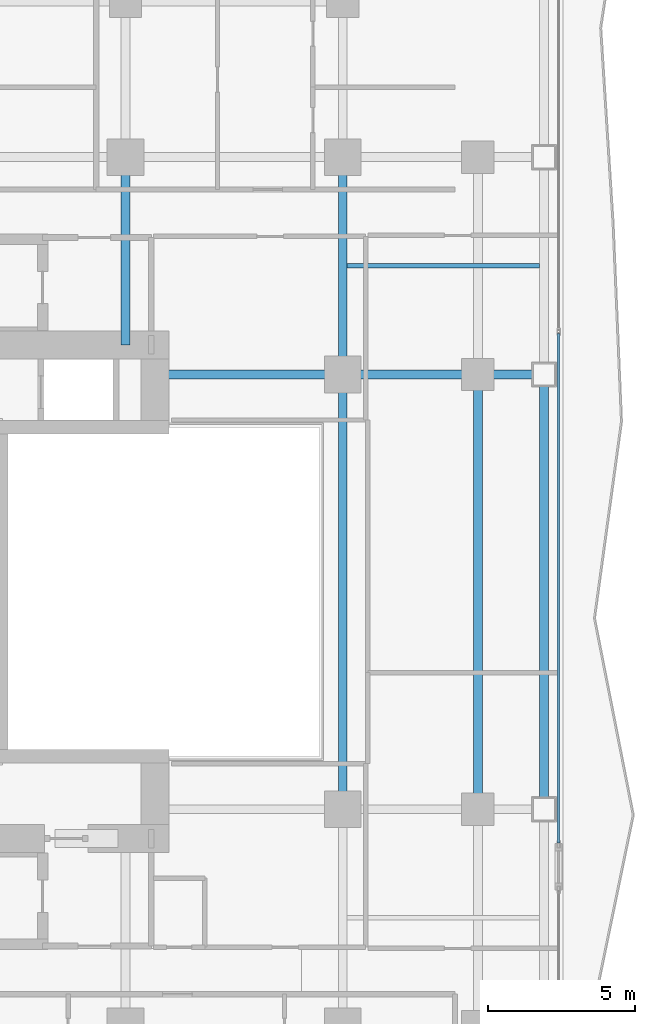
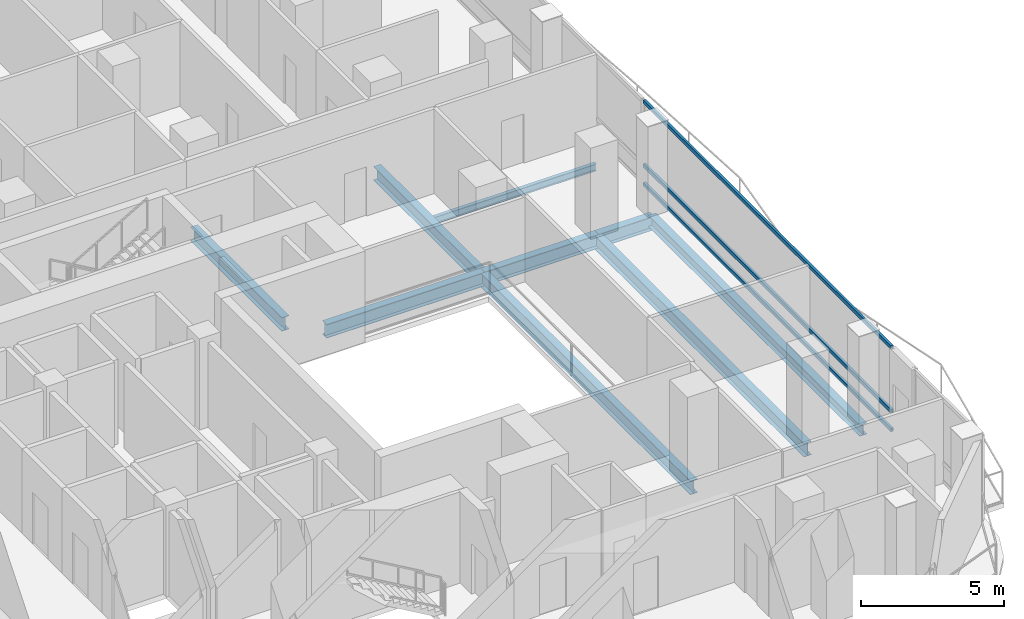
# One storey, part 10 of 28: 9 beams, 3 members, 1 element without a shape of its own.
"""IFC4 building model written with IfcOpenShell, lengths in metres."""

import ifcopenshell
import ifcopenshell.guid

model = None  # the IFC model being written
_history = None  # IfcOwnerHistory: only IFC2X3 demands one
_inside = {}  # id of a spatial element -> (the spatial element, [elements in it])
_under = {}  # id of a project, library or spatial element -> (it, [spatial elements below it])
_declared = {}  # id of a project -> (the project, [libraries it declares])
_typed = {}  # id of a type object -> (the type object, [elements of that type])
_made_of = {}  # id of a material, layer set ... -> (it, [elements and type objects made of it])


def new_model(schema):
    """Start an empty IFC model of exactly this schema.

    Asked for "IFC4X3", IfcOpenShell would pick the latest addendum, in which some entities
    have other attributes; the version numbers below select the first issue.
    IFC2X3 requires an IfcOwnerHistory on every rooted entity: one is made here for all.
    """
    global model, _history
    if schema == "IFC4X3":
        model = ifcopenshell.file(schema_version=(4, 3, 0, 0))
    else:
        model = ifcopenshell.file(schema=schema)
    _inside.clear()
    _under.clear()
    _declared.clear()
    _typed.clear()
    _made_of.clear()
    _history = None
    if model.schema == "IFC2X3":
        org = make("IfcOrganization", Name="unknown")
        user = make(
            "IfcPersonAndOrganization",
            ThePerson=make("IfcPerson", FamilyName="unknown"),
            TheOrganization=org,
        )
        app = make(
            "IfcApplication",
            ApplicationDeveloper=org,
            Version="unknown",
            ApplicationFullName="unknown",
            ApplicationIdentifier="unknown",
        )
        _history = make(
            "IfcOwnerHistory",
            OwningUser=user,
            OwningApplication=app,
            ChangeAction="ADDED",
            CreationDate=0,
        )
    return model


def make(cls, **values):
    """One entity of the class cls with the attributes given. An attribute that is None is left unset."""
    return model.create_entity(
        cls, **{name: value for name, value in values.items() if value is not None}
    )


def rooted(cls, **values):
    """An entity with a GlobalId (a new one), such as an element, a storey or a relation."""
    return make(cls, GlobalId=ifcopenshell.guid.new(), OwnerHistory=_history, **values)


def si_unit(unit_type, name, prefix=None):
    """IfcSIUnit, for example si_unit("LENGTHUNIT", "METRE", prefix="MILLI")."""
    return make("IfcSIUnit", UnitType=unit_type, Prefix=prefix, Name=name)


def assignment(units):
    """IfcUnitAssignment: the units of a project."""
    return None if units is None else make("IfcUnitAssignment", Units=units)


def point(xyz):
    """IfcCartesianPoint."""
    return None if xyz is None else make("IfcCartesianPoint", Coordinates=xyz)


def direction(xyz):
    """IfcDirection."""
    return None if xyz is None else make("IfcDirection", DirectionRatios=xyz)


def frame(location, z_axis=None, x_axis=None):
    """IfcAxis2Placement3D, a coordinate frame: its origin and axes. An axis left out is left unset."""
    return make(
        "IfcAxis2Placement3D",
        Location=point(location),
        Axis=direction(z_axis),
        RefDirection=direction(x_axis),
    )


def frame_2d(location, x_axis=None):
    """IfcAxis2Placement2D, a coordinate frame in the plane: its origin and x axis."""
    return make(
        "IfcAxis2Placement2D", Location=point(location), RefDirection=direction(x_axis)
    )


def origin():
    """The frame at (0, 0, 0) with its axes left unset."""
    return frame((0.0, 0.0, 0.0))


def origin_2d():
    """The frame at (0, 0) in the plane with its x axis left unset."""
    return frame_2d((0.0, 0.0))


def place(relative_to, where):
    """IfcLocalPlacement: puts the frame where relative to a parent placement (None: the world)."""
    return make(
        "IfcLocalPlacement", PlacementRelTo=relative_to, RelativePlacement=where
    )


def context(
    kind, dimensions, precision=None, world=None, true_north=None, identifier=None
):
    """IfcGeometricRepresentationContext, for example the 3D "Model" context."""
    return make(
        "IfcGeometricRepresentationContext",
        ContextIdentifier=identifier,
        ContextType=kind,
        CoordinateSpaceDimension=dimensions,
        Precision=precision,
        WorldCoordinateSystem=world,
        TrueNorth=true_north,
    )


def subcontext(parent, identifier, kind, view, scale=None):
    """IfcGeometricRepresentationSubContext, for example "Body" below "Model"."""
    return make(
        "IfcGeometricRepresentationSubContext",
        ContextIdentifier=identifier,
        ContextType=kind,
        ParentContext=parent,
        TargetScale=scale,
        TargetView=view,
    )


def project(units=None, contexts=None):
    """IfcProject with its units and contexts."""
    return rooted(
        "IfcProject",
        Name="project",
        RepresentationContexts=contexts,
        UnitsInContext=assignment(units),
    )


def spatial(cls, under=None, at=None, **own):
    """A site, building, storey or space (cls), placed at a placement, below another one or the project."""
    s = rooted(cls, ObjectPlacement=at, **own)
    if under is not None:
        _under.setdefault(under.id(), (under, []))[1].append(s)
    return s


def profile(cls, at=None, kind="AREA", **sizes):
    """A parametric profile (cls). Its sizes go by their IFC names, for example OverallWidth=200.0."""
    return make(cls, ProfileType=kind, Position=at, **sizes)


def hollow_rectangle(**sizes):
    """IfcRectangleHollowProfileDef."""
    return profile("IfcRectangleHollowProfileDef", **sizes)


def i_section(**sizes):
    """IfcIShapeProfileDef."""
    return profile("IfcIShapeProfileDef", **sizes)


def extrude(swept, where, along, depth):
    """IfcExtrudedAreaSolid: the profile swept, set in the frame where, extruded along a direction by depth."""
    return make(
        "IfcExtrudedAreaSolid",
        SweptArea=swept,
        Position=where,
        ExtrudedDirection=direction(along),
        Depth=depth,
    )


def shape(context_of_items, identifier, shape_type, items):
    """IfcShapeRepresentation: the items that make up one representation, for example the "Body"."""
    return make(
        "IfcShapeRepresentation",
        ContextOfItems=context_of_items,
        RepresentationIdentifier=identifier,
        RepresentationType=shape_type,
        Items=items,
    )


def material(Name=None, Category=None):
    """IfcMaterial."""
    return make("IfcMaterial", Name=Name, Category=Category)


def layer(
    of_material, thickness, ventilated=None, Name=None, Category=None, Priority=None
):
    """IfcMaterialLayer: one layer of a wall or slab, of a material (None: an air gap)."""
    return make(
        "IfcMaterialLayer",
        Material=of_material,
        LayerThickness=thickness,
        IsVentilated=ventilated,
        Name=Name,
        Category=Category,
        Priority=Priority,
    )


def layer_set(layers, Name=None):
    """IfcMaterialLayerSet."""
    return make("IfcMaterialLayerSet", MaterialLayers=layers, LayerSetName=Name)


def material_profile(
    of_material, cross_section, Name=None, Category=None, Priority=None
):
    """IfcMaterialProfile: a cross section and its material."""
    return make(
        "IfcMaterialProfile",
        Name=Name,
        Material=of_material,
        Profile=cross_section,
        Priority=Priority,
        Category=Category,
    )


def profile_set(profiles, Name=None, composite=None):
    """IfcMaterialProfileSet."""
    return make(
        "IfcMaterialProfileSet",
        Name=Name,
        MaterialProfiles=profiles,
        CompositeProfile=composite,
    )


def made_of(thing, what):
    """Note that an element or type object is made of a material, layer set ...; save() writes the relation."""
    if what is not None:
        _made_of.setdefault(what.id(), (what, []))[1].append(thing)
    return thing


def type_object(cls, material=None, **own):
    """A type object (cls), such as IfcWallType, which elements share."""
    return made_of(rooted(cls, **own), material)


def element(
    cls,
    number,
    at=None,
    inside=None,
    cuts=None,
    type_object=None,
    material=None,
    context=None,
    identifier="Body",
    shape_type=None,
    held_by="IfcProductDefinitionShape",
    body=None,
    shapes=None,
    **own,
):
    """One element of the class cls, such as IfcWall. Its Tag is "e" and its number.

    at: its placement. inside: the storey or other place that contains it. cuts: it is an
    opening in that element (IfcRelVoidsElement). A single representation is given by context,
    identifier, shape_type and body (its items); several are given by shapes. held_by: the class
    of the entity that holds the representations. save() writes the other relations.
    """
    e = rooted(cls, Tag="e%d" % number, ObjectPlacement=at, **own)
    if body is not None:
        shapes = [shape(context, identifier, shape_type, body)]
    if shapes is not None:
        e.Representation = make(held_by, Representations=shapes)
    if inside is not None:
        _inside.setdefault(inside.id(), (inside, []))[1].append(e)
    if cuts is not None:
        rooted(
            "IfcRelVoidsElement", RelatingBuildingElement=cuts, RelatedOpeningElement=e
        )
    if type_object is not None:
        _typed.setdefault(type_object.id(), (type_object, []))[1].append(e)
    return made_of(e, material)


def aggregate(whole, parts):
    """IfcRelAggregates: a whole, such as a stair, and the parts it consists of."""
    return rooted("IfcRelAggregates", RelatingObject=whole, RelatedObjects=parts)


def save(model, path):
    """Write the relations noted so far, then the file.

    IfcRelAggregates (storeys below a building ...), IfcRelContainedInSpatialStructure (elements
    in a storey), IfcRelDefinesByType, IfcRelAssociatesMaterial and IfcRelDeclares: one each for
    every whole, place, type object, material and project.
    """
    for whole, parts in _under.values():
        aggregate(whole, parts)
    for where, things in _inside.values():
        rooted(
            "IfcRelContainedInSpatialStructure",
            RelatedElements=things,
            RelatingStructure=where,
        )
    for kind, things in _typed.values():
        rooted("IfcRelDefinesByType", RelatedObjects=things, RelatingType=kind)
    for what, things in _made_of.values():
        rooted("IfcRelAssociatesMaterial", RelatedObjects=things, RelatingMaterial=what)
    for by, libraries in _declared.values():
        rooted("IfcRelDeclares", RelatingContext=by, RelatedDefinitions=libraries)
    model.write(path)


model = new_model("IFC4")

# Units and contexts
model_context = context("Model", 3, precision=1e-05, world=origin(), true_north=direction((0.0, 1.0)))
body_context = subcontext(model_context, "Body", "Model", "MODEL_VIEW")
ifc_project = project(units=[si_unit("LENGTHUNIT", "METRE"), si_unit("AREAUNIT", "SQUARE_METRE"), si_unit("VOLUMEUNIT", "CUBIC_METRE"), si_unit("PLANEANGLEUNIT", "RADIAN"), si_unit("MASSUNIT", "GRAM", prefix="KILO")], contexts=[model_context])

# Site, building, storey
site_placement = place(None, origin())
site = spatial("IfcSite", under=ifc_project, at=site_placement, CompositionType="ELEMENT")
building_placement = place(site_placement, origin())
building = spatial("IfcBuilding", under=site, at=building_placement, Name="Khorvyn Point Tower", CompositionType="ELEMENT")
storey_placement = place(building_placement, frame((0.0, 0.0, 104.699951171875)))
storey = spatial("IfcBuildingStorey", under=building, at=storey_placement, Name="L26", CompositionType="ELEMENT", Elevation=104.699951171875)

# Curtain wall, members
ifc_material_1 = material(Name="Anodised aluminium 6063-T6 and laminated Low-E glass", Category="aluminium")
ifc_layer = layer(ifc_material_1, 0.18994140625)
ifc_layer_set = layer_set([ifc_layer], Name="Stick-Built Finned Residential Curtain Wall CW-SYS-02")
curtain_wall_type = type_object("IfcCurtainWallType", Name="Stick-Built Finned Residential Curtain Wall CW-SYS-02", PredefinedType="NOTDEFINED", material=ifc_layer_set)
curtain_wall_placement = place(storey_placement, origin())
curtain_wall = element("IfcCurtainWall", 1, at=curtain_wall_placement, inside=storey, type_object=curtain_wall_type, Name="Curtain Wall", PredefinedType="NOTDEFINED")
ifc_material_2 = material(Name="Anodised aluminium 6063-T6", Category="aluminium")
ifc_material_profile_1 = material_profile(ifc_material_2, hollow_rectangle(XDim=0.10009765625, YDim=0.159912109375, WallThickness=0.00439453125, at=origin_2d()))
ifc_profile_set_1 = profile_set([ifc_material_profile_1], Name="Anodised aluminium 6063-T6 ALU-TRN-100x160")
member_type = type_object("IfcMemberType", Name="Anodised Aluminium 6063-T6 Transom ALU-TRN-100x160", PredefinedType="USERDEFINED", material=ifc_profile_set_1)
member_1_placement = place(storey_placement, frame((22.14990234375, 8.801513671875, 0.050048828125), z_axis=(0.0, -1.0, 0.0), x_axis=(1.0, 0.0, 0.0)))
member_1 = element("IfcMember", 2, at=member_1_placement, type_object=member_type, Name="Transom", ObjectType="TRANSOM", PredefinedType="USERDEFINED", context=body_context, shape_type="SweptSolid", body=[
    extrude(hollow_rectangle(XDim=0.10009765625, YDim=0.159912109375, WallThickness=0.00439453125, at=origin_2d()), origin(), (0.0, 0.0, 1.0), 17.3486328125),
])
member_2_placement = place(storey_placement, frame((22.14990234375, 8.801513671875, 0.85009765625), z_axis=(0.0, -1.0, 0.0), x_axis=(1.0, 0.0, 0.0)))
member_2 = element("IfcMember", 3, at=member_2_placement, type_object=member_type, Name="Transom", ObjectType="TRANSOM", PredefinedType="USERDEFINED", context=body_context, shape_type="SweptSolid", body=[
    extrude(hollow_rectangle(XDim=0.10009765625, YDim=0.159912109375, WallThickness=0.00439453125, at=origin_2d()), origin(), (0.0, 0.0, 1.0), 17.3486328125),
])
member_3_placement = place(storey_placement, frame((22.14990234375, 8.801513671875, 3.570068359375), z_axis=(0.0, -1.0, 0.0), x_axis=(1.0, 0.0, 0.0)))
member_3 = element("IfcMember", 4, at=member_3_placement, type_object=member_type, Name="Transom", ObjectType="TRANSOM", PredefinedType="USERDEFINED", context=body_context, shape_type="SweptSolid", body=[
    extrude(hollow_rectangle(XDim=0.10009765625, YDim=0.159912109375, WallThickness=0.00439453125, at=origin_2d()), origin(), (0.0, 0.0, 1.0), 17.3486328125),
])
aggregate(curtain_wall, [member_1, member_2, member_3])

# Beams
ifc_material_3 = material(Name="Steel S355", Category="steel")
ifc_material_profile_2 = material_profile(ifc_material_3, i_section(OverallWidth=0.300048828125, OverallDepth=0.587890625, WebThickness=0.011962890625, FlangeThickness=0.02001953125, at=origin_2d()))
ifc_profile_set_2 = profile_set([ifc_material_profile_2], Name="Steel S355 H588x300x12x20")
beam_type_1 = type_object("IfcBeamType", Name="Steel S355 Beam H588x300x12x20", PredefinedType="BEAM", material=ifc_profile_set_2)
beam_1_placement = place(storey_placement, frame((8.39990234375, 7.39990234375, -0.513916015625), z_axis=(1.0, 0.0, 0.0), x_axis=(0.0, 1.0, 0.0)))
element("IfcBeam", 5, at=beam_1_placement, inside=storey, type_object=beam_type_1, Name="Beam", PredefinedType="BEAM", context=body_context, shape_type="SweptSolid", body=[
    extrude(i_section(OverallWidth=0.300048828125, OverallDepth=0.587890625, WebThickness=0.011962890625, FlangeThickness=0.02001953125, at=origin_2d()), origin(), (0.0, 0.0, 1.0), 6.400146484375),
])
beam_2_placement = place(storey_placement, frame((14.800048828125, 7.39990234375, -0.513916015625), z_axis=(1.0, 0.0, 0.0), x_axis=(0.0, 1.0, 0.0)))
element("IfcBeam", 6, at=beam_2_placement, inside=storey, type_object=beam_type_1, Name="Beam", PredefinedType="BEAM", context=body_context, shape_type="SweptSolid", body=[
    extrude(i_section(OverallWidth=0.300048828125, OverallDepth=0.587890625, WebThickness=0.011962890625, FlangeThickness=0.02001953125, at=origin_2d()), origin(), (0.0, 0.0, 1.0), 4.599853515625),
])
beam_3_placement = place(storey_placement, frame((19.39990234375, 7.39990234375, -0.513916015625), z_axis=(1.0, 0.0, 0.0), x_axis=(0.0, 1.0, 0.0)))
element("IfcBeam", 7, at=beam_3_placement, inside=storey, type_object=beam_type_1, Name="Beam", PredefinedType="BEAM", context=body_context, shape_type="SweptSolid", body=[
    extrude(i_section(OverallWidth=0.300048828125, OverallDepth=0.587890625, WebThickness=0.011962890625, FlangeThickness=0.02001953125, at=origin_2d()), origin(), (0.0, 0.0, 1.0), 2.25),
])
beam_4_placement = place(storey_placement, frame((14.800048828125, -7.39990234375, -0.513916015625), z_axis=(0.0, 1.0, 0.0), x_axis=(-1.0, 0.0, 0.0)))
element("IfcBeam", 8, at=beam_4_placement, inside=storey, type_object=beam_type_1, Name="Beam", PredefinedType="BEAM", context=body_context, shape_type="SweptSolid", body=[
    extrude(i_section(OverallWidth=0.300048828125, OverallDepth=0.587890625, WebThickness=0.011962890625, FlangeThickness=0.02001953125, at=origin_2d()), origin(), (0.0, 0.0, 1.0), 14.7998046875),
])
beam_5_placement = place(storey_placement, frame((14.800048828125, 7.39990234375, -0.513916015625), z_axis=(0.0, 1.0, 0.0), x_axis=(-1.0, 0.0, 0.0)))
element("IfcBeam", 9, at=beam_5_placement, inside=storey, type_object=beam_type_1, Name="Beam", PredefinedType="BEAM", context=body_context, shape_type="SweptSolid", body=[
    extrude(i_section(OverallWidth=0.300048828125, OverallDepth=0.587890625, WebThickness=0.011962890625, FlangeThickness=0.02001953125, at=origin_2d()), origin(), (0.0, 0.0, 1.0), 7.400146484375),
])
beam_6_placement = place(storey_placement, frame((7.39990234375, 8.39990234375, -0.513916015625), z_axis=(0.0, 1.0, 0.0), x_axis=(-1.0, 0.0, 0.0)))
element("IfcBeam", 10, at=beam_6_placement, inside=storey, type_object=beam_type_1, Name="Beam", PredefinedType="BEAM", context=body_context, shape_type="SweptSolid", body=[
    extrude(i_section(OverallWidth=0.300048828125, OverallDepth=0.587890625, WebThickness=0.011962890625, FlangeThickness=0.02001953125, at=origin_2d()), origin(), (0.0, 0.0, 1.0), 6.400146484375),
])
beam_7_placement = place(storey_placement, frame((19.39990234375, -7.39990234375, -0.513916015625), z_axis=(0.0, 1.0, 0.0), x_axis=(-1.0, 0.0, 0.0)))
element("IfcBeam", 11, at=beam_7_placement, inside=storey, type_object=beam_type_1, Name="Beam", PredefinedType="BEAM", context=body_context, shape_type="SweptSolid", body=[
    extrude(i_section(OverallWidth=0.300048828125, OverallDepth=0.587890625, WebThickness=0.011962890625, FlangeThickness=0.02001953125, at=origin_2d()), origin(), (0.0, 0.0, 1.0), 14.7998046875),
])
ifc_material_profile_3 = material_profile(ifc_material_3, i_section(OverallWidth=0.14990234375, OverallDepth=0.300048828125, WebThickness=0.006591796875, FlangeThickness=0.009033203125, at=origin_2d()))
ifc_profile_set_3 = profile_set([ifc_material_profile_3], Name="Steel S355 H300x150x6.5x9")
beam_type_2 = type_object("IfcBeamType", Name="Steel S355 Joist H300x150x6.5x9", PredefinedType="JOIST", material=ifc_profile_set_3)
beam_8_placement = place(storey_placement, frame((14.949951171875, 11.10009765625, -0.369873046875), z_axis=(1.0, 0.0, 0.0), x_axis=(0.0, 1.0, 0.0)))
element("IfcBeam", 12, at=beam_8_placement, inside=storey, type_object=beam_type_2, Name="Beam", PredefinedType="JOIST", context=body_context, shape_type="SweptSolid", body=[
    extrude(i_section(OverallWidth=0.14990234375, OverallDepth=0.300048828125, WebThickness=0.006591796875, FlangeThickness=0.009033203125, at=origin_2d()), origin(), (0.0, 0.0, 1.0), 6.550048828125),
])
ifc_material_profile_4 = material_profile(ifc_material_3, i_section(OverallWidth=0.300048828125, OverallDepth=0.488037109375, WebThickness=0.010986328125, FlangeThickness=0.01806640625, at=origin_2d()))
ifc_profile_set_4 = profile_set([ifc_material_profile_4], Name="Steel S355 H488x300x11x18")
beam_type_3 = type_object("IfcBeamType", Name="Steel S355 Spandrel H488x300x11x18", PredefinedType="SPANDREL", material=ifc_profile_set_4)
beam_9_placement = place(storey_placement, frame((21.64990234375, -7.39990234375, -0.4638671875), z_axis=(0.0, 1.0, 0.0), x_axis=(-1.0, 0.0, 0.0)))
element("IfcBeam", 13, at=beam_9_placement, inside=storey, type_object=beam_type_3, Name="Beam", PredefinedType="SPANDREL", context=body_context, shape_type="SweptSolid", body=[
    extrude(i_section(OverallWidth=0.300048828125, OverallDepth=0.488037109375, WebThickness=0.010986328125, FlangeThickness=0.01806640625, at=origin_2d()), origin(), (0.0, 0.0, 1.0), 14.7998046875),
])

save(model, "model.ifc")
